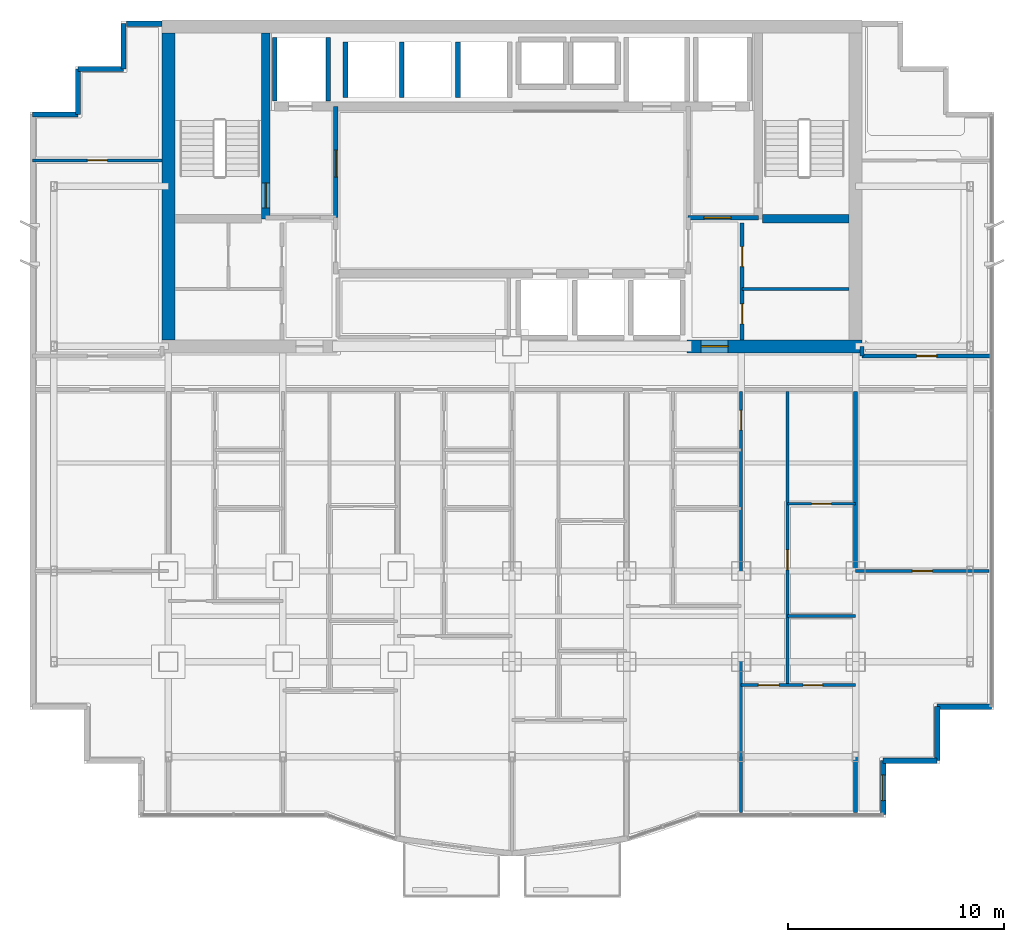
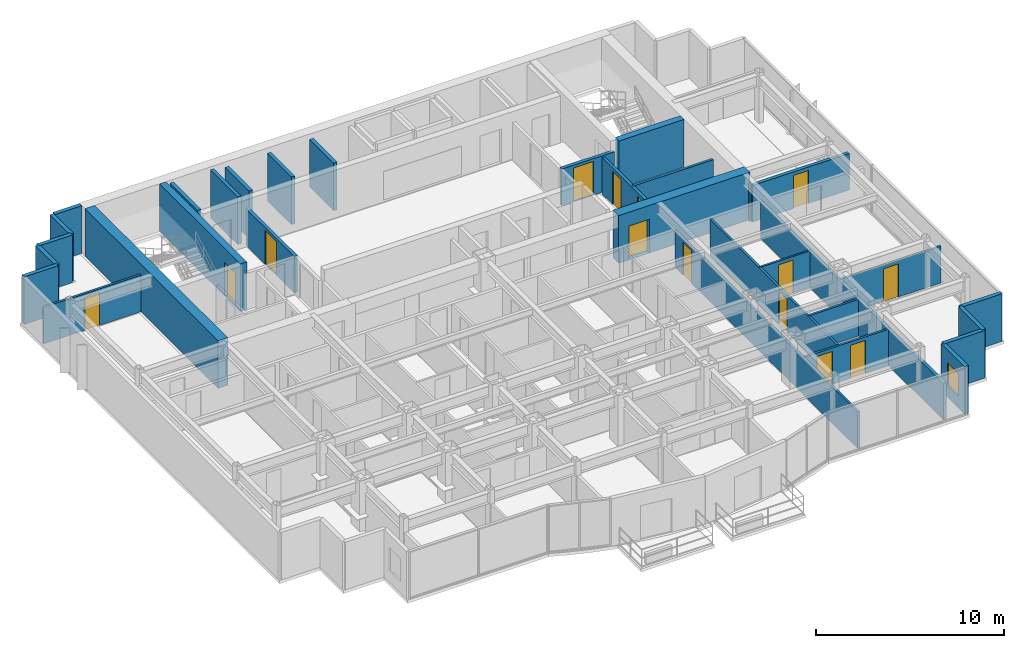
# One storey, part 10 of 13: 32 walls, 14 doors, 1 window, 15 openings.
"""IFC4 building model written with IfcOpenShell, lengths in metres."""

from ifc_helpers import new_model, si_unit, direction, frame, frame_2d, origin, place, context, subcontext, project, spatial, rectangle, extrude, material, layer, layer_set, type_object, element, fill, save


model = new_model("IFC4")

# Units and contexts
model_context = context("Model", 3, precision=1e-05, world=origin(), true_north=direction((0.0, 1.0)))
body_context = subcontext(model_context, "Body", "Model", "MODEL_VIEW")
ifc_project = project(units=[si_unit("LENGTHUNIT", "METRE"), si_unit("AREAUNIT", "SQUARE_METRE"), si_unit("VOLUMEUNIT", "CUBIC_METRE"), si_unit("PLANEANGLEUNIT", "RADIAN"), si_unit("MASSUNIT", "GRAM", prefix="KILO")], contexts=[model_context])

# Site, building, storey
site_placement = place(None, origin())
site = spatial("IfcSite", under=ifc_project, at=site_placement, CompositionType="ELEMENT")
building_placement = place(site_placement, origin())
building = spatial("IfcBuilding", under=site, at=building_placement, Name="Qianlan Lanfeng Residences", CompositionType="ELEMENT")
storey_placement = place(building_placement, frame((0.0, 0.0, 162.300048828125)))
storey = spatial("IfcBuildingStorey", under=building, at=storey_placement, Name="L44", CompositionType="ELEMENT", Elevation=162.300048828125)

# Wall, opening, door
ifc_material_1 = material(Name="Concrete C56", Category="concrete")
ifc_layer_1 = layer(ifc_material_1, 0.39990234375)
ifc_layer_set_1 = layer_set([ifc_layer_1], Name="Concrete C56")
wall_type_1 = type_object("IfcWallType", Name="CW-RC-400", PredefinedType="SHEAR", material=ifc_layer_set_1)
wall_1_placement = place(storey_placement, frame((15.10009765625, 31.10009765625, 0.0), z_axis=(0.0, 0.0, 1.0), x_axis=(0.0, 1.0, 0.0)))
wall_1 = element("IfcWall", 1, at=wall_1_placement, inside=storey, type_object=wall_type_1, Name="L44 Core Shear Wall ST1E", PredefinedType="SHEAR", context=body_context, shape_type="SweptSolid", body=[
    extrude(rectangle(XDim=8.599853515625, YDim=0.39990234375, at=frame_2d((4.2998046875, 0.0))), origin(), (0.0, 0.0, 1.0), 3.099853515625),
])
opening_1_placement = place(wall_1_placement, frame((0.510009765625, 0.0, 0.0)))
opening_1 = element("IfcOpeningElement", 2, at=opening_1_placement, cuts=wall_1, Name="Opening L44-D07", PredefinedType="OPENING", context=body_context, shape_type="SweptSolid", body=[
    extrude(rectangle(XDim=1.14990234375, YDim=2.199951171875, at=frame_2d((0.574951171875, 1.10009765625))), frame((0.0, 0.2099609375, 0.0), z_axis=(0.0, -1.0, 0.0), x_axis=(1.0, 0.0, 0.0)), (0.0, 0.0, 1.0), 0.419921875),
])
ifc_material_2 = material(Name="Painted Galvanised Steel Fire Door", Category="steel")
door_type_1 = type_object("IfcDoorType", Name="DT-ST1", OperationType="NOTDEFINED", PredefinedType="DOOR", material=ifc_material_2)
door_1_placement = place(opening_1_placement, frame((1.14990234375, 0.0, 0.0), z_axis=(0.0, 0.0, 1.0), x_axis=(-1.0, 0.0, 0.0)))
door_1 = element("IfcDoor", 3, at=door_1_placement, inside=storey, type_object=door_type_1, Name="L44 Exit Stair ST-1 Door L44-D07 (DT-ST1)", OperationType="SINGLE_SWING_RIGHT", OverallHeight=2.199951171875, OverallWidth=1.14990234375, PredefinedType="DOOR", context=body_context, shape_type="SweptSolid", body=[
    extrude(rectangle(XDim=1.14990234375, YDim=2.199951171875, at=frame_2d((0.574951171875, 1.10009765625))), frame((0.0, 0.02490234375, 0.0), z_axis=(0.0, -1.0, 0.0), x_axis=(1.0, 0.0, 0.0)), (0.0, 0.0, 1.0), 0.050048828125),
])
fill(opening_1, door_1)

# Walls
wall_2_placement = place(storey_placement, frame((38.10009765625, 31.10009765625, 0.0), z_axis=(0.0, 0.0, 1.0), x_axis=(1.0, 0.0, 0.0)))
element("IfcWall", 4, at=wall_2_placement, inside=storey, type_object=wall_type_1, Name="L44 Core Shear Wall ST2S", PredefinedType="SHEAR", context=body_context, shape_type="SweptSolid", body=[
    extrude(rectangle(XDim=4.0, YDim=0.39990234375, at=frame_2d((2.0, 0.0))), origin(), (0.0, 0.0, 1.0), 3.099853515625),
])
ifc_layer_2 = layer(ifc_material_1, 0.60009765625)
ifc_layer_set_2 = layer_set([ifc_layer_2], Name="Concrete C56")
wall_type_2 = type_object("IfcWallType", Name="CW-RC-600", PredefinedType="SHEAR", material=ifc_layer_set_2)
wall_3_placement = place(storey_placement, frame((10.60009765625, 25.5, 0.0), z_axis=(0.0, 0.0, 1.0), x_axis=(0.0, 1.0, 0.0)))
element("IfcWall", 5, at=wall_3_placement, inside=storey, type_object=wall_type_2, Name="L44 Core Shear Wall W", PredefinedType="SHEAR", context=body_context, shape_type="SweptSolid", body=[
    extrude(rectangle(XDim=14.199951171875, YDim=0.60009765625, at=frame_2d((7.10009765625, 0.0))), origin(), (0.0, 0.0, 1.0), 3.099853515625),
])

# Wall, opening, door
wall_4_placement = place(storey_placement, frame((34.60009765625, 25.199951171875, 0.0), z_axis=(0.0, 0.0, 1.0), x_axis=(1.0, 0.0, 0.0)))
wall_4 = element("IfcWall", 6, at=wall_4_placement, inside=storey, type_object=wall_type_2, Name="L44 Core Shear Wall SE", PredefinedType="SHEAR", context=body_context, shape_type="SweptSolid", body=[
    extrude(rectangle(XDim=8.099853515625, YDim=0.60009765625, at=frame_2d((4.0498046875, 0.0))), origin(), (0.0, 0.0, 1.0), 3.099853515625),
])
opening_2_placement = place(wall_4_placement, frame((0.64990234375, 0.0, 0.0)))
opening_2 = element("IfcOpeningElement", 7, at=opening_2_placement, cuts=wall_4, Name="Opening L44-D02", PredefinedType="OPENING", context=body_context, shape_type="SweptSolid", body=[
    extrude(rectangle(XDim=1.25, YDim=2.199951171875, at=frame_2d((0.625, 1.10009765625))), frame((0.0, 0.31005859375, 0.0), z_axis=(0.0, -1.0, 0.0), x_axis=(1.0, 0.0, 0.0)), (0.0, 0.0, 1.0), 0.6201171875),
])
door_type_2 = type_object("IfcDoorType", Name="DT-FFL", OperationType="NOTDEFINED", PredefinedType="DOOR", material=ifc_material_2)
door_2_placement = place(opening_2_placement, frame((1.25, 0.0, 0.0), z_axis=(0.0, 0.0, 1.0), x_axis=(-1.0, 0.0, 0.0)))
door_2 = element("IfcDoor", 8, at=door_2_placement, inside=storey, type_object=door_type_2, Name="L44 East Core Lobby Smoke Door L44-D02 (DT-FFL)", OperationType="SINGLE_SWING_LEFT", OverallHeight=2.199951171875, OverallWidth=1.25, PredefinedType="DOOR", context=body_context, shape_type="SweptSolid", body=[
    extrude(rectangle(XDim=1.25, YDim=2.199951171875, at=frame_2d((0.625, 1.10009765625))), frame((0.0, 0.02490234375, 0.0), z_axis=(0.0, -1.0, 0.0), x_axis=(1.0, 0.0, 0.0)), (0.0, 0.0, 1.0), 0.050048828125),
])
fill(opening_2, door_2)

# Wall, opening, window
ifc_material_3 = material(Name="Concrete C42", Category="concrete")
ifc_layer_3 = layer(ifc_material_3, 0.239990234375)
ifc_layer_set_3 = layer_set([ifc_layer_3], Name="Concrete C42")
wall_type_3 = type_object("IfcWallType", Name="EW-240", PredefinedType="SOLIDWALL", material=ifc_layer_set_3)
wall_5_placement = place(storey_placement, frame((43.679931640625, 3.52001953125, 0.0), z_axis=(0.0, 0.0, 1.0), x_axis=(0.0, 1.0, 0.0)))
wall_5 = element("IfcWall", 9, at=wall_5_placement, inside=storey, type_object=wall_type_3, Name="L44 Exterior Facade Spandrel Wall 7", PredefinedType="SOLIDWALL", context=body_context, shape_type="SweptSolid", body=[
    extrude(rectangle(XDim=2.5, YDim=0.239990234375, at=frame_2d((1.25, 0.0))), origin(), (0.0, 0.0, 1.0), 3.099853515625),
])
opening_3_placement = place(wall_5_placement, frame((0.64990234375, 0.0, 0.75)))
opening_3 = element("IfcOpeningElement", 10, at=opening_3_placement, cuts=wall_5, Name="Opening W-03", PredefinedType="OPENING", context=body_context, shape_type="SweptSolid", body=[
    extrude(rectangle(XDim=1.199951171875, YDim=1.5, at=frame_2d((0.60009765625, 0.75))), frame((0.0, 0.1298828125, 0.0), z_axis=(0.0, -1.0, 0.0), x_axis=(1.0, 0.0, 0.0)), (0.0, 0.0, 1.0), 0.260009765625),
])
ifc_material_4 = material(Name="Anodised Bronze Aluminium Framed Double Glazing", Category="aluminium")
window_type = type_object("IfcWindowType", Name="W-03", PartitioningType="SINGLE_PANEL", PredefinedType="WINDOW", material=ifc_material_4)
window_placement = place(opening_3_placement, origin())
window = element("IfcWindow", 11, at=window_placement, inside=storey, type_object=window_type, Name="L44 Facade Punched Window W-03", OverallHeight=1.5, OverallWidth=1.199951171875, PartitioningType="SINGLE_PANEL", PredefinedType="WINDOW", context=body_context, shape_type="SweptSolid", body=[
    extrude(rectangle(XDim=1.199951171875, YDim=1.5, at=frame_2d((0.60009765625, 0.75))), frame((0.0, 0.030029296875, 0.0), z_axis=(0.0, -1.0, 0.0), x_axis=(1.0, 0.0, 0.0)), (0.0, 0.0, 1.0), 0.06005859375),
])
fill(opening_3, window)

# Walls
for number, where, z_axis, x_axis, name in (
    (12, (43.679931640625, 6.02001953125, 0.0), (0.0, 0.0, 1.0), (1.0, 0.0, 0.0), "L44 Exterior Facade Spandrel Wall 8"),
    (13, (46.179931640625, 6.02001953125, 0.0), (0.0, 0.0, 1.0), (0.0, 1.0, 0.0), "L44 Exterior Facade Spandrel Wall 9"),
    (14, (46.179931640625, 8.52001953125, 0.0), (0.0, 0.0, 1.0), (1.0, 0.0, 0.0), "L44 Exterior Facade Spandrel Wall 10"),
):
    element("IfcWall", number, at=place(storey_placement, frame(where, z_axis=z_axis, x_axis=x_axis)), inside=storey, type_object=wall_type_3, Name=name, PredefinedType="SOLIDWALL", context=body_context, shape_type="SweptSolid", body=[
        extrude(rectangle(XDim=2.5, YDim=0.239990234375, at=frame_2d((1.25, 0.0))), origin(), (0.0, 0.0, 1.0), 3.099853515625),
    ])
wall_6_placement = place(storey_placement, frame((10.300048828125, 40.1298828125, 0.0), z_axis=(0.0, 0.0, 1.0), x_axis=(-1.0, 0.0, 0.0)))
element("IfcWall", 15, at=wall_6_placement, inside=storey, type_object=wall_type_3, Name="L44 North Wing Exterior Wall W", PredefinedType="SOLIDWALL", context=body_context, shape_type="SweptSolid", body=[
    extrude(rectangle(XDim=1.650146484375, YDim=0.239990234375, at=frame_2d((0.8251953125, 0.0))), origin(), (0.0, 0.0, 1.0), 3.099853515625),
])
wall_7_placement = place(storey_placement, frame((8.52001953125, 40.1298828125, 0.0), z_axis=(0.0, 0.0, 1.0), x_axis=(0.0, -1.0, 0.0)))
element("IfcWall", 16, at=wall_7_placement, inside=storey, type_object=wall_type_3, Name="L44 Exterior Facade Spandrel Wall 17", PredefinedType="SOLIDWALL", context=body_context, shape_type="SweptSolid", body=[
    extrude(rectangle(XDim=2.099853515625, YDim=0.239990234375, at=frame_2d((1.0498046875, 0.0))), origin(), (0.0, 0.0, 1.0), 3.099853515625),
])
for number, where, z_axis, x_axis, name in (
    (17, (8.52001953125, 38.030029296875, 0.0), (0.0, 0.0, 1.0), (-1.0, 0.0, 0.0), "L44 Exterior Facade Spandrel Wall 18"),
    (18, (6.419921875, 38.030029296875, 0.0), (0.0, 0.0, 1.0), (0.0, -1.0, 0.0), "L44 Exterior Facade Spandrel Wall 19"),
):
    element("IfcWall", number, at=place(storey_placement, frame(where, z_axis=z_axis, x_axis=x_axis)), inside=storey, type_object=wall_type_3, Name=name, PredefinedType="SOLIDWALL", context=body_context, shape_type="SweptSolid", body=[
        extrude(rectangle(XDim=2.10009765625, YDim=0.239990234375, at=frame_2d((1.050048828125, 0.0))), origin(), (0.0, 0.0, 1.0), 3.099853515625),
    ])
wall_8_placement = place(storey_placement, frame((6.419921875, 35.929931640625, 0.0), z_axis=(0.0, 0.0, 1.0), x_axis=(-1.0, 0.0, 0.0)))
element("IfcWall", 19, at=wall_8_placement, inside=storey, type_object=wall_type_3, Name="L44 Exterior Facade Spandrel Wall 20", PredefinedType="SOLIDWALL", context=body_context, shape_type="SweptSolid", body=[
    extrude(rectangle(XDim=2.099853515625, YDim=0.239990234375, at=frame_2d((1.0498046875, 0.0))), origin(), (0.0, 0.0, 1.0), 3.099853515625),
])

# Wall, opening, door
ifc_material_5 = material(Name="Demountable Acoustic Framing Partition 110 mm")
ifc_layer_4 = layer(ifc_material_5, 0.110107421875)
ifc_layer_set_4 = layer_set([ifc_layer_4], Name="Demountable Acoustic Framing Partition 110 mm")
wall_type_4 = type_object("IfcWallType", Name="PW-110", PredefinedType="MOVABLE", material=ifc_layer_set_4)
wall_9_placement = place(storey_placement, frame((39.25, 17.909912109375, 0.0), z_axis=(0.0, 0.0, 1.0), x_axis=(1.0, 0.0, 0.0)))
wall_9 = element("IfcWall", 20, at=wall_9_placement, inside=storey, type_object=wall_type_4, Name="L44 U03 Wardrobe Split", PredefinedType="MOVABLE", context=body_context, shape_type="SweptSolid", body=[
    extrude(rectangle(XDim=3.14990234375, YDim=0.110107421875, at=frame_2d((1.574951171875, 0.0))), origin(), (0.0, 0.0, 1.0), 2.3798828125),
])
opening_4_placement = place(wall_9_placement, frame((1.114990234375, 0.0, 0.0)))
opening_4 = element("IfcOpeningElement", 21, at=opening_4_placement, cuts=wall_9, Name="Opening L44-D46", PredefinedType="OPENING", context=body_context, shape_type="SweptSolid", body=[
    extrude(rectangle(XDim=0.919921875, YDim=2.14990234375, at=frame_2d((0.4599609375, 1.074951171875))), frame((0.0, 0.06494140625, 0.0), z_axis=(0.0, -1.0, 0.0), x_axis=(1.0, 0.0, 0.0)), (0.0, 0.0, 1.0), 0.130126953125),
])
ifc_material_6 = material(Name="Glazed Timber Kitchen/Study Door", Category="wood")
door_type_3 = type_object("IfcDoorType", Name="DT-INT", OperationType="NOTDEFINED", PredefinedType="DOOR", material=ifc_material_6)
door_3_placement = place(opening_4_placement, origin())
door_3 = element("IfcDoor", 22, at=door_3_placement, inside=storey, type_object=door_type_3, Name="L44 U03 Dressing Inner Door L44-D46 (DT-INT)", OperationType="SINGLE_SWING_LEFT", OverallHeight=2.14990234375, OverallWidth=0.919921875, PredefinedType="DOOR", context=body_context, shape_type="SweptSolid", body=[
    extrude(rectangle(XDim=0.919921875, YDim=2.14990234375, at=frame_2d((0.4599609375, 1.074951171875))), frame((0.0, 0.02490234375, 0.0), z_axis=(0.0, -1.0, 0.0), x_axis=(1.0, 0.0, 0.0)), (0.0, 0.0, 1.0), 0.050048828125),
])
fill(opening_4, door_3)

ifc_material_7 = material(Name="Moisture-Resistant Gypsum Partition 135 mm")
ifc_layer_5 = layer(ifc_material_7, 0.135009765625)
ifc_layer_set_5 = layer_set([ifc_layer_5], Name="Moisture-Resistant Gypsum Partition 135 mm")
wall_type_5 = type_object("IfcWallType", Name="PW-135", PredefinedType="PARTITIONING", material=ifc_layer_set_5)
wall_10_placement = place(storey_placement, frame((37.10009765625, 3.6201171875, 0.0), z_axis=(0.0, 0.0, 1.0), x_axis=(0.0, 1.0, 0.0)))
wall_10 = element("IfcWall", 23, at=wall_10_placement, inside=storey, type_object=wall_type_5, Name="L44 U03 Bay Spine Wall 1", PredefinedType="PARTITIONING", context=body_context, shape_type="SweptSolid", body=[
    extrude(rectangle(XDim=19.47998046875, YDim=0.135009765625, at=frame_2d((9.739990234375, 0.0))), origin(), (0.0, 0.0, 1.0), 2.3798828125),
])
opening_5_placement = place(wall_10_placement, frame((17.695068359375, 0.0, 0.0)))
opening_5 = element("IfcOpeningElement", 24, at=opening_5_placement, cuts=wall_10, Name="Opening L44-D38", PredefinedType="OPENING", context=body_context, shape_type="SweptSolid", body=[
    extrude(rectangle(XDim=0.919921875, YDim=2.14990234375, at=frame_2d((0.4599609375, 1.074951171875))), frame((0.0, 0.07763671875, 0.0), z_axis=(0.0, -1.0, 0.0), x_axis=(1.0, 0.0, 0.0)), (0.0, 0.0, 1.0), 0.155029296875),
])
door_4_placement = place(opening_5_placement, origin())
door_4 = element("IfcDoor", 25, at=door_4_placement, inside=storey, type_object=door_type_3, Name="L44 U03 Internal Hall Door L44-D38 (DT-INT)", OperationType="SINGLE_SWING_LEFT", OverallHeight=2.14990234375, OverallWidth=0.919921875, PredefinedType="DOOR", context=body_context, shape_type="SweptSolid", body=[
    extrude(rectangle(XDim=0.919921875, YDim=2.14990234375, at=frame_2d((0.4599609375, 1.074951171875))), frame((0.0, 0.02490234375, 0.0), z_axis=(0.0, -1.0, 0.0), x_axis=(1.0, 0.0, 0.0)), (0.0, 0.0, 1.0), 0.050048828125),
])
fill(opening_5, door_4)

# Wall, openings, doors
wall_11_placement = place(storey_placement, frame((37.10009765625, 9.52001953125, 0.0), z_axis=(0.0, 0.0, 1.0), x_axis=(1.0, 0.0, 0.0)))
wall_11 = element("IfcWall", 26, at=wall_11_placement, inside=storey, type_object=wall_type_5, Name="L44 U03 Master Bedroom North Wall", PredefinedType="PARTITIONING", context=body_context, shape_type="SweptSolid", body=[
    extrude(rectangle(XDim=5.2998046875, YDim=0.135009765625, at=frame_2d((2.64990234375, 0.0))), origin(), (0.0, 0.0, 1.0), 2.3798828125),
])
opening_6_placement = place(wall_11_placement, frame((0.800048828125, 0.0, 0.0)))
opening_6 = element("IfcOpeningElement", 27, at=opening_6_placement, cuts=wall_11, Name="Opening L44-D43", PredefinedType="OPENING", context=body_context, shape_type="SweptSolid", body=[
    extrude(rectangle(XDim=0.949951171875, YDim=2.14990234375, at=frame_2d((0.47509765625, 1.074951171875))), frame((0.0, 0.07763671875, 0.0), z_axis=(0.0, -1.0, 0.0), x_axis=(1.0, 0.0, 0.0)), (0.0, 0.0, 1.0), 0.155029296875),
])
opening_7_placement = place(wall_11_placement, frame((2.875, 0.0, 0.0)))
opening_7 = element("IfcOpeningElement", 28, at=opening_7_placement, cuts=wall_11, Name="Opening L44-D44", PredefinedType="OPENING", context=body_context, shape_type="SweptSolid", body=[
    extrude(rectangle(XDim=0.89990234375, YDim=2.14990234375, at=frame_2d((0.449951171875, 1.074951171875))), frame((0.0, 0.07763671875, 0.0), z_axis=(0.0, -1.0, 0.0), x_axis=(1.0, 0.0, 0.0)), (0.0, 0.0, 1.0), 0.155029296875),
])
ifc_material_8 = material(Name="Painted Solid-Core Timber Leaf", Category="wood")
door_type_4 = type_object("IfcDoorType", Name="DT-BED", OperationType="NOTDEFINED", PredefinedType="DOOR", material=ifc_material_8)
door_5_placement = place(opening_6_placement, frame((0.949951171875, 0.0, 0.0), z_axis=(0.0, 0.0, 1.0), x_axis=(-1.0, 0.0, 0.0)))
door_5 = element("IfcDoor", 29, at=door_5_placement, inside=storey, type_object=door_type_4, Name="L44 U03 Master Bedroom Door L44-D43 (DT-BED)", OperationType="SINGLE_SWING_LEFT", OverallHeight=2.14990234375, OverallWidth=0.949951171875, PredefinedType="DOOR", context=body_context, shape_type="SweptSolid", body=[
    extrude(rectangle(XDim=0.949951171875, YDim=2.14990234375, at=frame_2d((0.47509765625, 1.074951171875))), frame((0.0, 0.02490234375, 0.0), z_axis=(0.0, -1.0, 0.0), x_axis=(1.0, 0.0, 0.0)), (0.0, 0.0, 1.0), 0.050048828125),
])
fill(opening_6, door_5)
ifc_material_9 = material(Name="Moisture-Resistant Timber Leaf", Category="wood")
door_type_5 = type_object("IfcDoorType", Name="DT-WC", OperationType="NOTDEFINED", PredefinedType="DOOR", material=ifc_material_9)
door_6_placement = place(opening_7_placement, frame((0.89990234375, 0.0, 0.0), z_axis=(0.0, 0.0, 1.0), x_axis=(-1.0, 0.0, 0.0)))
door_6 = element("IfcDoor", 30, at=door_6_placement, inside=storey, type_object=door_type_5, Name="L44 U03 En-Suite Bathroom Door L44-D44 (DT-WC)", OperationType="SINGLE_SWING_RIGHT", OverallHeight=2.14990234375, OverallWidth=0.89990234375, PredefinedType="DOOR", context=body_context, shape_type="SweptSolid", body=[
    extrude(rectangle(XDim=0.89990234375, YDim=2.14990234375, at=frame_2d((0.449951171875, 1.074951171875))), frame((0.0, 0.02490234375, 0.0), z_axis=(0.0, -1.0, 0.0), x_axis=(1.0, 0.0, 0.0)), (0.0, 0.0, 1.0), 0.050048828125),
])
fill(opening_7, door_6)

# Wall, opening, door
wall_12_placement = place(storey_placement, frame((39.25, 9.52001953125, 0.0), z_axis=(0.0, 0.0, 1.0), x_axis=(0.0, 1.0, 0.0)))
wall_12 = element("IfcWall", 31, at=wall_12_placement, inside=storey, type_object=wall_type_5, Name="L44 U03 Master Passage Wall", PredefinedType="PARTITIONING", context=body_context, shape_type="SweptSolid", body=[
    extrude(rectangle(XDim=13.580078125, YDim=0.135009765625, at=frame_2d((6.7900390625, 0.0))), origin(), (0.0, 0.0, 1.0), 2.3798828125),
])
opening_8_placement = place(wall_12_placement, frame((5.3349609375, 0.0, 0.0)))
opening_8 = element("IfcOpeningElement", 32, at=opening_8_placement, cuts=wall_12, Name="Opening L44-D45", PredefinedType="OPENING", context=body_context, shape_type="SweptSolid", body=[
    extrude(rectangle(XDim=0.919921875, YDim=2.14990234375, at=frame_2d((0.4599609375, 1.074951171875))), frame((0.0, 0.07763671875, 0.0), z_axis=(0.0, -1.0, 0.0), x_axis=(1.0, 0.0, 0.0)), (0.0, 0.0, 1.0), 0.155029296875),
])
door_7_placement = place(opening_8_placement, origin())
door_7 = element("IfcDoor", 33, at=door_7_placement, inside=storey, type_object=door_type_3, Name="L44 U03 Wardrobe Door L44-D45 (DT-INT)", OperationType="SINGLE_SWING_RIGHT", OverallHeight=2.14990234375, OverallWidth=0.919921875, PredefinedType="DOOR", context=body_context, shape_type="SweptSolid", body=[
    extrude(rectangle(XDim=0.919921875, YDim=2.14990234375, at=frame_2d((0.4599609375, 1.074951171875))), frame((0.0, 0.02490234375, 0.0), z_axis=(0.0, -1.0, 0.0), x_axis=(1.0, 0.0, 0.0)), (0.0, 0.0, 1.0), 0.050048828125),
])
fill(opening_8, door_7)

# Wall
wall_13_placement = place(storey_placement, frame((39.25, 12.719970703125, 0.0), z_axis=(0.0, 0.0, 1.0), x_axis=(1.0, 0.0, 0.0)))
element("IfcWall", 34, at=wall_13_placement, inside=storey, type_object=wall_type_5, Name="L44 U03 En-Suite North Wall", PredefinedType="PARTITIONING", context=body_context, shape_type="SweptSolid", body=[
    extrude(rectangle(XDim=3.14990234375, YDim=0.135009765625, at=frame_2d((1.574951171875, 0.0))), origin(), (0.0, 0.0, 1.0), 2.3798828125),
])

# Wall, opening, door
wall_14_placement = place(storey_placement, frame((42.39990234375, 14.800048828125, 0.0), z_axis=(0.0, 0.0, 1.0), x_axis=(1.0, 0.0, 0.0)))
wall_14 = element("IfcWall", 35, at=wall_14_placement, inside=storey, type_object=wall_type_5, Name="L44 SEP Mid Partition", PredefinedType="PARTITIONING", context=body_context, shape_type="SweptSolid", body=[
    extrude(rectangle(XDim=6.18017578125, YDim=0.135009765625, at=frame_2d((3.090087890625, 0.0))), origin(), (0.0, 0.0, 1.0), 2.3798828125),
])
opening_9_placement = place(wall_14_placement, frame((2.6298828125, 0.0, 0.0)))
opening_9 = element("IfcOpeningElement", 36, at=opening_9_placement, cuts=wall_14, Name="Opening L44-D49", PredefinedType="OPENING", context=body_context, shape_type="SweptSolid", body=[
    extrude(rectangle(XDim=0.919921875, YDim=2.14990234375, at=frame_2d((0.4599609375, 1.074951171875))), frame((0.0, 0.07763671875, 0.0), z_axis=(0.0, -1.0, 0.0), x_axis=(1.0, 0.0, 0.0)), (0.0, 0.0, 1.0), 0.155029296875),
])
door_8_placement = place(opening_9_placement, origin())
door_8 = element("IfcDoor", 37, at=door_8_placement, inside=storey, type_object=door_type_3, Name="L44 SEP Inner Door L44-D49 (DT-INT)", OperationType="SINGLE_SWING_RIGHT", OverallHeight=2.14990234375, OverallWidth=0.919921875, PredefinedType="DOOR", context=body_context, shape_type="SweptSolid", body=[
    extrude(rectangle(XDim=0.919921875, YDim=2.14990234375, at=frame_2d((0.4599609375, 1.074951171875))), frame((0.0, 0.02490234375, 0.0), z_axis=(0.0, -1.0, 0.0), x_axis=(1.0, 0.0, 0.0)), (0.0, 0.0, 1.0), 0.050048828125),
])
fill(opening_9, door_8)

wall_15_placement = place(storey_placement, frame((4.320068359375, 33.800048828125, 0.0), z_axis=(0.0, 0.0, 1.0), x_axis=(1.0, 0.0, 0.0)))
wall_15 = element("IfcWall", 38, at=wall_15_placement, inside=storey, type_object=wall_type_5, Name="L44 WW North Wing Wall", PredefinedType="PARTITIONING", context=body_context, shape_type="SweptSolid", body=[
    extrude(rectangle(XDim=5.97998046875, YDim=0.135009765625, at=frame_2d((2.989990234375, 0.0))), origin(), (0.0, 0.0, 1.0), 2.3798828125),
])
opening_10_placement = place(wall_15_placement, frame((2.530029296875, 0.0, 0.0)))
opening_10 = element("IfcOpeningElement", 39, at=opening_10_placement, cuts=wall_15, Name="Opening L44-D51", PredefinedType="OPENING", context=body_context, shape_type="SweptSolid", body=[
    extrude(rectangle(XDim=0.919921875, YDim=2.14990234375, at=frame_2d((0.4599609375, 1.074951171875))), frame((0.0, 0.07763671875, 0.0), z_axis=(0.0, -1.0, 0.0), x_axis=(1.0, 0.0, 0.0)), (0.0, 0.0, 1.0), 0.155029296875),
])
door_9_placement = place(opening_10_placement, origin())
door_9 = element("IfcDoor", 40, at=door_9_placement, inside=storey, type_object=door_type_3, Name="L44 WW Inner Salon Door L44-D51 (DT-INT)", OperationType="SINGLE_SWING_RIGHT", OverallHeight=2.14990234375, OverallWidth=0.919921875, PredefinedType="DOOR", context=body_context, shape_type="SweptSolid", body=[
    extrude(rectangle(XDim=0.919921875, YDim=2.14990234375, at=frame_2d((0.4599609375, 1.074951171875))), frame((0.0, 0.02490234375, 0.0), z_axis=(0.0, -1.0, 0.0), x_axis=(1.0, 0.0, 0.0)), (0.0, 0.0, 1.0), 0.050048828125),
])
fill(opening_10, door_9)

# Wall
ifc_material_10 = material(Name="Acoustic Drywall Partition 150 mm")
ifc_layer_6 = layer(ifc_material_10, 0.14990234375)
ifc_layer_set_6 = layer_set([ifc_layer_6], Name="Acoustic Drywall Partition 150 mm")
wall_type_6 = type_object("IfcWallType", Name="PW-150", PredefinedType="PARTITIONING", material=ifc_layer_set_6)
wall_16_placement = place(storey_placement, frame((37.14990234375, 27.85009765625, 0.0), z_axis=(0.0, 0.0, 1.0), x_axis=(1.0, 0.0, 0.0)))
element("IfcWall", 41, at=wall_16_placement, inside=storey, type_object=wall_type_6, Name="L44 Core East H4", PredefinedType="PARTITIONING", context=body_context, shape_type="SweptSolid", body=[
    extrude(rectangle(XDim=4.9501953125, YDim=0.14990234375, at=frame_2d((2.47509765625, 0.0))), origin(), (0.0, 0.0, 1.0), 2.3798828125),
])

# Wall, openings, doors
ifc_material_11 = material(Name="Double-Layer Acoustic Gypsum Stud Wall 180 mm")
ifc_layer_7 = layer(ifc_material_11, 0.179931640625)
ifc_layer_set_7 = layer_set([ifc_layer_7], Name="Double-Layer Acoustic Gypsum Stud Wall 180 mm")
wall_type_7 = type_object("IfcWallType", Name="PW-180", PredefinedType="PARTITIONING", material=ifc_layer_set_7)
wall_17_placement = place(storey_placement, frame((37.14990234375, 25.5, 0.0), z_axis=(0.0, 0.0, 1.0), x_axis=(0.0, 1.0, 0.0)))
wall_17 = element("IfcWall", 42, at=wall_17_placement, inside=storey, type_object=wall_type_7, Name="L44 Core East Service Room Wall", PredefinedType="PARTITIONING", context=body_context, shape_type="SweptSolid", body=[
    extrude(rectangle(XDim=5.39990234375, YDim=0.179931640625, at=frame_2d((2.699951171875, 0.0))), origin(), (0.0, 0.0, 1.0), 2.3798828125),
])
opening_11_placement = place(wall_17_placement, frame((0.739990234375, 0.0, 0.0)))
opening_11 = element("IfcOpeningElement", 43, at=opening_11_placement, cuts=wall_17, Name="Opening L44-D12", PredefinedType="OPENING", context=body_context, shape_type="SweptSolid", body=[
    extrude(rectangle(XDim=0.919921875, YDim=2.14990234375, at=frame_2d((0.4599609375, 1.074951171875))), frame((0.0, 0.10009765625, 0.0), z_axis=(0.0, -1.0, 0.0), x_axis=(1.0, 0.0, 0.0)), (0.0, 0.0, 1.0), 0.199951171875),
])
opening_12_placement = place(wall_17_placement, frame((3.389892578125, 0.0, 0.0)))
opening_12 = element("IfcOpeningElement", 44, at=opening_12_placement, cuts=wall_17, Name="Opening L44-D13", PredefinedType="OPENING", context=body_context, shape_type="SweptSolid", body=[
    extrude(rectangle(XDim=0.919921875, YDim=2.14990234375, at=frame_2d((0.4599609375, 1.074951171875))), frame((0.0, 0.10009765625, 0.0), z_axis=(0.0, -1.0, 0.0), x_axis=(1.0, 0.0, 0.0)), (0.0, 0.0, 1.0), 0.199951171875),
])
door_10_placement = place(opening_11_placement, origin())
door_10 = element("IfcDoor", 45, at=door_10_placement, inside=storey, type_object=door_type_3, Name="L44 Mail Closet Door L44-D12 (DT-INT)", OperationType="SINGLE_SWING_LEFT", OverallHeight=2.14990234375, OverallWidth=0.919921875, PredefinedType="DOOR", context=body_context, shape_type="SweptSolid", body=[
    extrude(rectangle(XDim=0.919921875, YDim=2.14990234375, at=frame_2d((0.4599609375, 1.074951171875))), frame((0.0, 0.02490234375, 0.0), z_axis=(0.0, -1.0, 0.0), x_axis=(1.0, 0.0, 0.0)), (0.0, 0.0, 1.0), 0.050048828125),
])
fill(opening_11, door_10)
door_11_placement = place(opening_12_placement, origin())
door_11 = element("IfcDoor", 46, at=door_11_placement, inside=storey, type_object=door_type_3, Name="L44 Refuse Closet Door L44-D13 (DT-INT)", OperationType="SINGLE_SWING_RIGHT", OverallHeight=2.14990234375, OverallWidth=0.919921875, PredefinedType="DOOR", context=body_context, shape_type="SweptSolid", body=[
    extrude(rectangle(XDim=0.919921875, YDim=2.14990234375, at=frame_2d((0.4599609375, 1.074951171875))), frame((0.0, 0.02490234375, 0.0), z_axis=(0.0, -1.0, 0.0), x_axis=(1.0, 0.0, 0.0)), (0.0, 0.0, 1.0), 0.050048828125),
])
fill(opening_12, door_11)

# Wall
wall_18_placement = place(storey_placement, frame((42.39990234375, 3.6201171875, 0.0), z_axis=(0.0, 0.0, 1.0), x_axis=(0.0, 1.0, 0.0)))
element("IfcWall", 47, at=wall_18_placement, inside=storey, type_object=wall_type_7, Name="L44 Wing Boundary Party Wall E0", PredefinedType="PARTITIONING", context=body_context, shape_type="SweptSolid", body=[
    extrude(rectangle(XDim=19.47998046875, YDim=0.179931640625, at=frame_2d((9.739990234375, 0.0))), origin(), (0.0, 0.0, 1.0), 2.3798828125),
])

# Wall, opening, door
ifc_material_12 = material(Name="Autoclaved Aerated Concrete Blockwork 200 mm", Category="masonry")
ifc_layer_8 = layer(ifc_material_12, 0.199951171875)
ifc_layer_set_8 = layer_set([ifc_layer_8], Name="Autoclaved Aerated Concrete Blockwork 200 mm")
wall_type_8 = type_object("IfcWallType", Name="PW-200", PredefinedType="PARTITIONING", material=ifc_layer_set_8)
wall_19_placement = place(storey_placement, frame((18.35009765625, 31.14990234375, 0.0), z_axis=(0.0, 0.0, 1.0), x_axis=(0.0, 1.0, 0.0)))
wall_19 = element("IfcWall", 48, at=wall_19_placement, inside=storey, type_object=wall_type_8, Name="L44 Firefighting Lobby 1 East Wall", PredefinedType="PARTITIONING", context=body_context, shape_type="SweptSolid", body=[
    extrude(rectangle(XDim=5.150146484375, YDim=0.199951171875, at=frame_2d((2.5751953125, 0.0))), origin(), (0.0, 0.0, 1.0), 2.3798828125),
])
opening_13_placement = place(wall_19_placement, frame((1.875, 0.0, 0.0)))
opening_13 = element("IfcOpeningElement", 49, at=opening_13_placement, cuts=wall_19, Name="Opening L44-D04", PredefinedType="OPENING", context=body_context, shape_type="SweptSolid", body=[
    extrude(rectangle(XDim=1.25, YDim=2.199951171875, at=frame_2d((0.625, 1.10009765625))), frame((0.0, 0.10986328125, 0.0), z_axis=(0.0, -1.0, 0.0), x_axis=(1.0, 0.0, 0.0)), (0.0, 0.0, 1.0), 0.219970703125),
])
door_12_placement = place(opening_13_placement, origin())
door_12 = element("IfcDoor", 50, at=door_12_placement, inside=storey, type_object=door_type_2, Name="L44 Firefighting Lobby 1 Lift Lobby Door L44-D04 (DT-FFL)", OperationType="SINGLE_SWING_LEFT", OverallHeight=2.199951171875, OverallWidth=1.25, PredefinedType="DOOR", context=body_context, shape_type="SweptSolid", body=[
    extrude(rectangle(XDim=1.25, YDim=2.199951171875, at=frame_2d((0.625, 1.10009765625))), frame((0.0, 0.02490234375, 0.0), z_axis=(0.0, -1.0, 0.0), x_axis=(1.0, 0.0, 0.0)), (0.0, 0.0, 1.0), 0.050048828125),
])
fill(opening_13, door_12)

wall_20_placement = place(storey_placement, frame((34.64990234375, 31.14990234375, 0.0), z_axis=(0.0, 0.0, 1.0), x_axis=(1.0, 0.0, 0.0)))
wall_20 = element("IfcWall", 51, at=wall_20_placement, inside=storey, type_object=wall_type_8, Name="L44 Firefighting Lobby 2 South Wall", PredefinedType="PARTITIONING", context=body_context, shape_type="SweptSolid", body=[
    extrude(rectangle(XDim=3.25, YDim=0.199951171875, at=frame_2d((1.625, 0.0))), origin(), (0.0, 0.0, 1.0), 2.3798828125),
])
opening_14_placement = place(wall_20_placement, frame((0.72509765625, 0.0, 0.0)))
opening_14 = element("IfcOpeningElement", 52, at=opening_14_placement, cuts=wall_20, Name="Opening L44-D05", PredefinedType="OPENING", context=body_context, shape_type="SweptSolid", body=[
    extrude(rectangle(XDim=1.25, YDim=2.199951171875, at=frame_2d((0.625, 1.10009765625))), frame((0.0, 0.10986328125, 0.0), z_axis=(0.0, -1.0, 0.0), x_axis=(1.0, 0.0, 0.0)), (0.0, 0.0, 1.0), 0.219970703125),
])
door_13_placement = place(opening_14_placement, origin())
door_13 = element("IfcDoor", 53, at=door_13_placement, inside=storey, type_object=door_type_2, Name="L44 Firefighting Lobby 2 Entry Door L44-D05 (DT-FFL)", OperationType="SINGLE_SWING_RIGHT", OverallHeight=2.199951171875, OverallWidth=1.25, PredefinedType="DOOR", context=body_context, shape_type="SweptSolid", body=[
    extrude(rectangle(XDim=1.25, YDim=2.199951171875, at=frame_2d((0.625, 1.10009765625))), frame((0.0, 0.02490234375, 0.0), z_axis=(0.0, -1.0, 0.0), x_axis=(1.0, 0.0, 0.0)), (0.0, 0.0, 1.0), 0.050048828125),
])
fill(opening_14, door_13)

wall_21_placement = place(storey_placement, frame((42.699951171875, 24.75, 0.0), z_axis=(0.0, 0.0, 1.0), x_axis=(1.0, 0.0, 0.0)))
wall_21 = element("IfcWall", 54, at=wall_21_placement, inside=storey, type_object=wall_type_8, Name="L44 Corridor NE Wall", PredefinedType="PARTITIONING", context=body_context, shape_type="SweptSolid", body=[
    extrude(rectangle(XDim=5.97998046875, YDim=0.199951171875, at=frame_2d((2.989990234375, 0.0))), origin(), (0.0, 0.0, 1.0), 2.3798828125),
])
opening_15_placement = place(wall_21_placement, frame((2.530029296875, 0.0, 0.0)))
opening_15 = element("IfcOpeningElement", 55, at=opening_15_placement, cuts=wall_21, Name="Opening L44-D54", PredefinedType="OPENING", context=body_context, shape_type="SweptSolid", body=[
    extrude(rectangle(XDim=0.919921875, YDim=2.14990234375, at=frame_2d((0.4599609375, 1.074951171875))), frame((0.0, 0.10986328125, 0.0), z_axis=(0.0, -1.0, 0.0), x_axis=(1.0, 0.0, 0.0)), (0.0, 0.0, 1.0), 0.219970703125),
])
door_14_placement = place(opening_15_placement, origin())
door_14 = element("IfcDoor", 56, at=door_14_placement, inside=storey, type_object=door_type_3, Name="L44 EW Amenity Salon Door L44-D54 (DT-INT)", OperationType="SINGLE_SWING_LEFT", OverallHeight=2.14990234375, OverallWidth=0.919921875, PredefinedType="DOOR", context=body_context, shape_type="SweptSolid", body=[
    extrude(rectangle(XDim=0.919921875, YDim=2.14990234375, at=frame_2d((0.4599609375, 1.074951171875))), frame((0.0, 0.02490234375, 0.0), z_axis=(0.0, -1.0, 0.0), x_axis=(1.0, 0.0, 0.0)), (0.0, 0.0, 1.0), 0.050048828125),
])
fill(opening_15, door_14)

# Walls
wall_22_placement = place(storey_placement, frame((42.699951171875, 24.75, 0.0), z_axis=(0.0, 0.0, 1.0), x_axis=(0.0, 1.0, 0.0)))
element("IfcWall", 57, at=wall_22_placement, inside=storey, type_object=wall_type_8, Name="L44 NE Wing Core Return Wall", PredefinedType="PARTITIONING", context=body_context, shape_type="SweptSolid", body=[
    extrude(rectangle(XDim=0.449951171875, YDim=0.199951171875, at=frame_2d((0.22509765625, 0.0))), origin(), (0.0, 0.0, 1.0), 2.3798828125),
])
ifc_material_13 = material(Name="Concrete C49", Category="concrete")
ifc_layer_9 = layer(ifc_material_13, 0.219970703125)
ifc_layer_set_9 = layer_set([ifc_layer_9], Name="Concrete C49")
wall_type_9 = type_object("IfcWallType", Name="SHW-220", PredefinedType="SOLIDWALL", material=ifc_layer_set_9)
for number, where, z_axis, x_axis, name in (
    (58, (15.52001953125, 36.550048828125, 0.0), (0.0, 0.0, 1.0), (0.0, 1.0, 0.0), "L44 Lift FFL-1 Shaft Wall W"),
    (59, (18.0, 36.550048828125, 0.0), (0.0, 0.0, 1.0), (0.0, 1.0, 0.0), "L44 Lift FFL-1 Shaft Wall E"),
):
    element("IfcWall", number, at=place(storey_placement, frame(where, z_axis=z_axis, x_axis=x_axis)), inside=storey, type_object=wall_type_9, Name=name, PredefinedType="SOLIDWALL", context=body_context, shape_type="SweptSolid", body=[
        extrude(rectangle(XDim=2.929931640625, YDim=0.219970703125, at=frame_2d((1.46484375, 0.0))), origin(), (0.0, 0.0, 1.0), 3.099853515625),
    ])
for number, where, z_axis, x_axis, name in (
    (60, (18.800048828125, 36.719970703125, 0.0), (0.0, 0.0, 1.0), (0.0, 1.0, 0.0), "L44 Lift PL-H1 Shaft Wall W"),
    (61, (21.39990234375, 36.719970703125, 0.0), (0.0, 0.0, 1.0), (0.0, 1.0, 0.0), "L44 Lift PL-H2 Shaft Wall W"),
    (62, (24.0, 36.719970703125, 0.0), (0.0, 0.0, 1.0), (0.0, 1.0, 0.0), "L44 Lift PL-H3 Shaft Wall W"),
):
    element("IfcWall", number, at=place(storey_placement, frame(where, z_axis=z_axis, x_axis=x_axis)), inside=storey, type_object=wall_type_9, Name=name, PredefinedType="SOLIDWALL", context=body_context, shape_type="SweptSolid", body=[
        extrude(rectangle(XDim=2.56005859375, YDim=0.219970703125, at=frame_2d((1.280029296875, 0.0))), origin(), (0.0, 0.0, 1.0), 3.099853515625),
    ])

save(model, "model.ifc")
